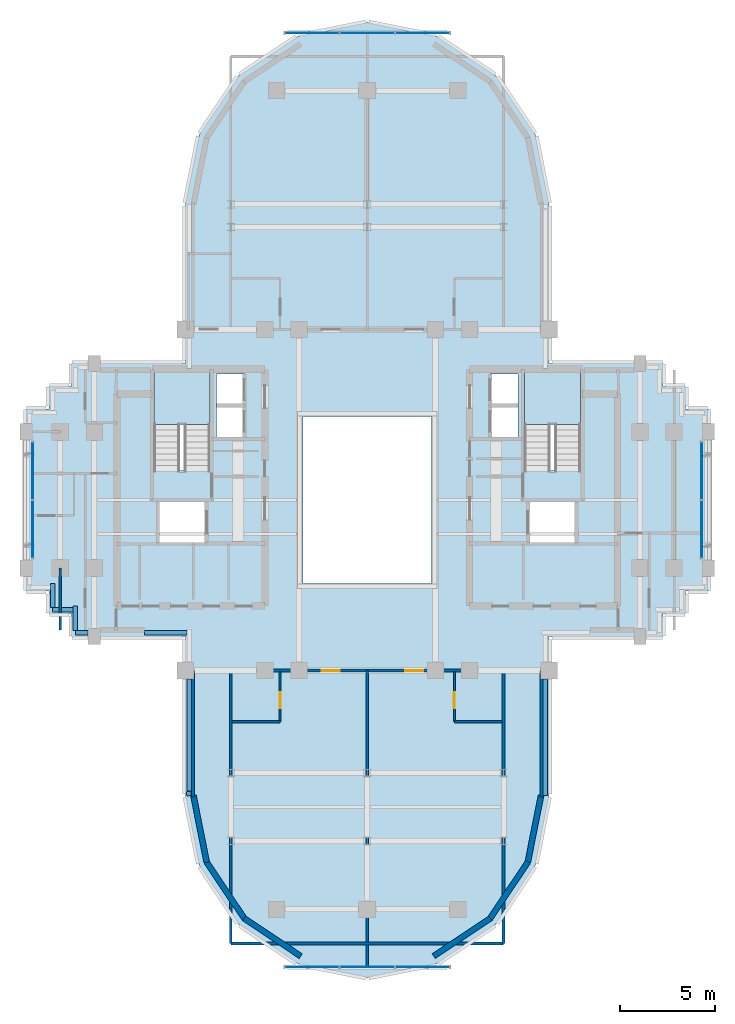
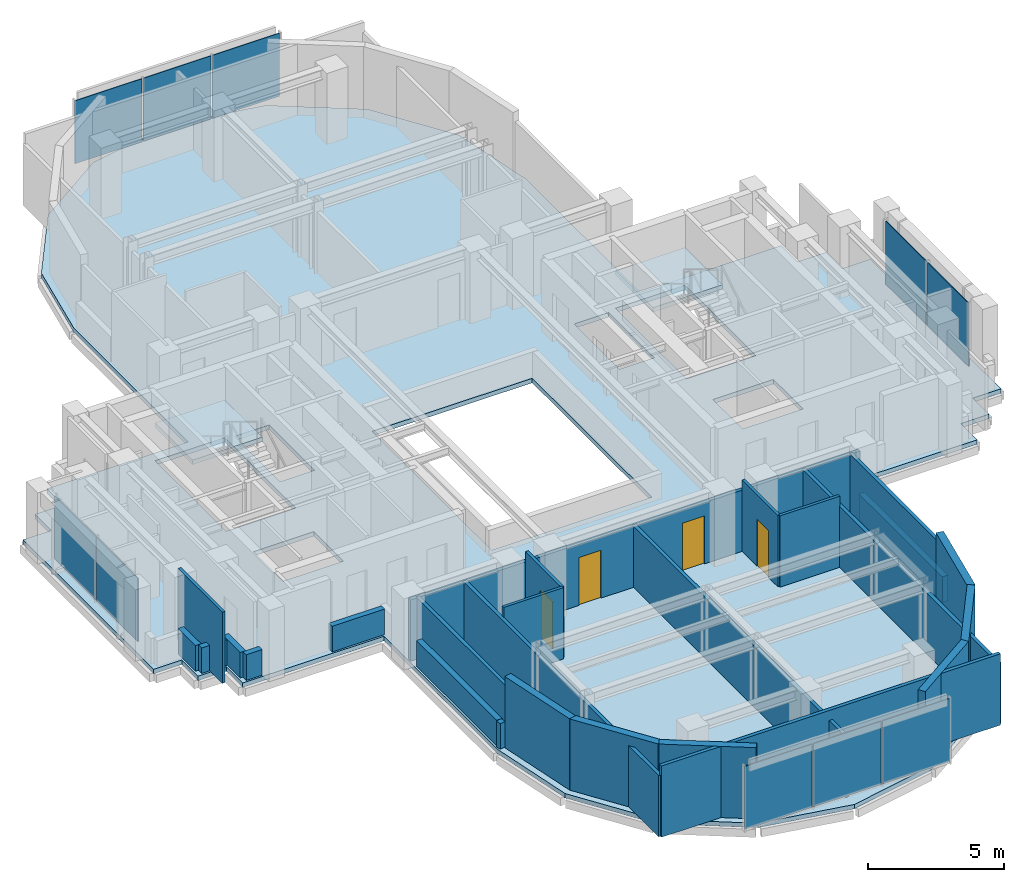
# One storey, part 5 of 12: 27 walls, 10 plates, 4 doors, 3 slabs, 4 openings, 6 elements without a shape of their own.
"""IFC4 building model written with IfcOpenShell, lengths in metres."""

from ifc_helpers import new_model, si_unit, direction, frame, frame_2d, origin, origin_2d, place, context, subcontext, project, spatial, polyline, rectangle, outline, extrude, source, transform, mapped, material, layer, layer_set, type_object, element, fill, aggregate, save


model = new_model("IFC4")

# Units and contexts
model_context = context("Model", 3, precision=1e-05, world=origin(), true_north=direction((0.0, 1.0)))
body_context = subcontext(model_context, "Body", "Model", "MODEL_VIEW")
ifc_project = project(units=[si_unit("LENGTHUNIT", "METRE"), si_unit("AREAUNIT", "SQUARE_METRE"), si_unit("VOLUMEUNIT", "CUBIC_METRE"), si_unit("PLANEANGLEUNIT", "RADIAN"), si_unit("MASSUNIT", "GRAM", prefix="KILO")], contexts=[model_context])

# Site, building, storey
site_placement = place(None, origin())
site = spatial("IfcSite", under=ifc_project, at=site_placement, CompositionType="ELEMENT")
building_placement = place(site_placement, origin())
building = spatial("IfcBuilding", under=site, at=building_placement, Name="Keilestroom Media Tower", CompositionType="ELEMENT")
storey_placement = place(building_placement, frame((0.0, 0.0, 191.0)))
storey = spatial("IfcBuildingStorey", under=building, at=storey_placement, Name="L52", CompositionType="ELEMENT", Elevation=191.0)

# Slab
ifc_material_1 = material(Name="Concrete C50/60", Category="concrete")
ifc_layer_1 = layer(ifc_material_1, 0.199951171875)
ifc_layer_set_1 = layer_set([ifc_layer_1], Name="Concrete C50/60")
slab_type_1 = type_object("IfcSlabType", Name="Composite-Floor-Slab-200", PredefinedType="FLOOR", material=ifc_layer_set_1)
slab_1_placement = place(storey_placement, frame((0.0, 0.0, -0.199951171875)))
element("IfcSlab", 1, at=slab_1_placement, inside=storey, type_object=slab_type_1, Name="L52 Structural Composite Floor Slab", PredefinedType="FLOOR", context=body_context, shape_type="SweptSolid", body=[
    extrude(outline(polyline([(18.0, -4.800048828125), (18.0, 4.800048828125), (16.800048828125, 4.800048828125), (16.800048828125, 6.0), (15.60009765625, 6.0), (15.60009765625, 7.199951171875), (9.60009765625, 7.199951171875), (9.60009765625, 9.60009765625), (9.60009765625, 15.60009765625), (8.869140625, 19.273681640625), (6.7880859375, 22.38818359375), (3.673828125, 24.46923828125), (0.0, 25.199951171875), (-3.673828125, 24.46923828125), (-6.7880859375, 22.38818359375), (-8.869140625, 19.273681640625), (-9.60009765625, 15.60009765625), (-9.60009765625, 9.60009765625), (-9.60009765625, 7.199951171875), (-15.60009765625, 7.199951171875), (-15.60009765625, 6.0), (-16.800048828125, 6.0), (-16.800048828125, 4.800048828125), (-18.0, 4.800048828125), (-18.0, -4.800048828125), (-16.800048828125, -4.800048828125), (-16.800048828125, -6.0), (-15.60009765625, -6.0), (-15.60009765625, -7.199951171875), (-9.60009765625, -7.199951171875), (-9.60009765625, -9.60009765625), (-9.60009765625, -15.60009765625), (-8.869140625, -19.273681640625), (-6.7880859375, -22.38818359375), (-3.673828125, -24.46923828125), (0.0, -25.199951171875), (3.673828125, -24.46923828125), (6.7880859375, -22.38818359375), (8.869140625, -19.273681640625), (9.60009765625, -15.60009765625), (9.60009765625, -9.60009765625), (9.60009765625, -7.199951171875), (15.60009765625, -7.199951171875), (15.60009765625, -6.0), (16.800048828125, -6.0), (16.800048828125, -4.800048828125), (18.0, -4.800048828125)]), holes=[polyline([(-8.300048828125, 1.544921875), (-11.260009765625, 1.544921875), (-11.260009765625, 6.760009765625), (-8.300048828125, 6.760009765625), (-8.300048828125, 1.544921875)]), polyline([(-8.47998046875, -2.280029296875), (-11.050048828125, -2.280029296875), (-11.050048828125, -0.10009765625), (-8.47998046875, -0.10009765625), (-8.47998046875, -2.280029296875)]), polyline([(-6.47998046875, 3.300048828125), (-7.949951171875, 3.300048828125), (-7.949951171875, 6.64990234375), (-6.47998046875, 6.64990234375), (-6.47998046875, 3.300048828125)]), polyline([(3.39990234375, -4.39990234375), (-3.39990234375, -4.39990234375), (-3.39990234375, 4.39990234375), (3.39990234375, 4.39990234375), (3.39990234375, -4.39990234375)]), polyline([(7.949951171875, 3.300048828125), (6.47998046875, 3.300048828125), (6.47998046875, 6.64990234375), (7.949951171875, 6.64990234375), (7.949951171875, 3.300048828125)]), polyline([(11.260009765625, 1.544921875), (8.300048828125, 1.544921875), (8.300048828125, 6.760009765625), (11.260009765625, 6.760009765625), (11.260009765625, 1.544921875)]), polyline([(11.050048828125, -2.280029296875), (8.47998046875, -2.280029296875), (8.47998046875, -0.10009765625), (11.050048828125, -0.10009765625), (11.050048828125, -2.280029296875)])]), origin(), (0.0, 0.0, 1.0), 0.199951171875),
])

# Stair, slab
ifc_material_2 = material(Name="Concrete C45/55", Category="concrete")
stair_type = type_object("IfcStairType", Name="Enclosed-Dog-Leg-Stair-ST-CORE", PredefinedType="HALF_TURN_STAIR", material=ifc_material_2)
stair_1_placement = place(storey_placement, origin())
stair_1 = element("IfcStair", 2, at=stair_1_placement, inside=storey, type_object=stair_type, Name="L52 West Core Escape Stair ST-1", PredefinedType="HALF_TURN_STAIR")
ifc_layer_2 = layer(ifc_material_2, 0.199951171875)
ifc_layer_set_2 = layer_set([ifc_layer_2], Name="Concrete C45/55")
slab_type_2 = type_object("IfcSlabType", Name="Stair-Intermediate-And-Top-Landing-Slab-200", PredefinedType="LANDING", material=ifc_layer_set_2)
slab_2_placement = place(storey_placement, frame((0.0, 0.0, 1.5)))
slab_2 = element("IfcSlab", 3, at=slab_2_placement, type_object=slab_type_2, Name="ST-1 landing 1", PredefinedType="LANDING", context=body_context, shape_type="SweptSolid", body=[
    extrude(outline(polyline([(-8.300048828125, 3.99609375), (-8.300048828125, 6.760009765625), (-11.260009765625, 6.760009765625), (-11.260009765625, 3.99609375), (-8.300048828125, 3.99609375)])), origin(), (0.0, 0.0, 1.0), 0.199951171875),
])
aggregate(stair_1, [slab_2])

stair_2_placement = place(storey_placement, origin())
stair_2 = element("IfcStair", 4, at=stair_2_placement, inside=storey, type_object=stair_type, Name="L52 East Core Escape Stair ST-2", PredefinedType="HALF_TURN_STAIR")
slab_3_placement = place(storey_placement, frame((0.0, 0.0, 1.5)))
slab_3 = element("IfcSlab", 5, at=slab_3_placement, type_object=slab_type_2, Name="ST-2 landing 1", PredefinedType="LANDING", context=body_context, shape_type="SweptSolid", body=[
    extrude(outline(polyline([(11.260009765625, 3.99609375), (11.260009765625, 6.760009765625), (8.300048828125, 6.760009765625), (8.300048828125, 3.99609375), (11.260009765625, 3.99609375)])), origin(), (0.0, 0.0, 1.0), 0.199951171875),
])
aggregate(stair_2, [slab_3])

# Curtain wall, plates
ifc_material_3 = material(Name="Anodised Aluminium Alloy", Category="aluminium")
curtain_wall_type_1 = type_object("IfcCurtainWallType", Name="Unitised-Curtain-Wall-CW-6", PredefinedType="NOTDEFINED", material=ifc_material_3)
curtain_wall_1_placement = place(storey_placement, origin())
curtain_wall_1 = element("IfcCurtainWall", 6, at=curtain_wall_1_placement, inside=storey, type_object=curtain_wall_type_1, Name="L52 Curtain Wall CW-6 CW-L52-LN-1", PredefinedType="NOTDEFINED")
ifc_material_4 = material(Name="Curved-Facet Triple Glazed Unit", Category="glass")
ifc_layer_3 = layer(ifc_material_4, 0.033935546875)
ifc_layer_set_3 = layer_set([ifc_layer_3], Name="Curved-Facet Triple Glazed Unit")
plate_type_1 = type_object("IfcPlateType", Name="Insulated-Curtain-Wall-Glazing-Panel-CW-6", PredefinedType="CURTAIN_PANEL", material=ifc_layer_set_3)
shared_shape_1 = source(origin(), body_context, "Body", "SweptSolid", [
    extrude(rectangle(XDim=2.84375, YDim=0.033935546875, at=origin_2d()), origin(), (0.0, 0.0, 1.0), 2.833984375),
])
plate_1_placement = place(storey_placement, frame((-2.9169921875, 24.64990234375, 0.072998046875), z_axis=(0.0, 0.0, 1.0), x_axis=(1.0, 0.0, 0.0)))
plate_1 = element("IfcPlate", 7, at=plate_1_placement, type_object=plate_type_1, Name="CW-6 Unitised Glazing 00", PredefinedType="CURTAIN_PANEL", context=body_context, shape_type="MappedRepresentation", body=[
    mapped(shared_shape_1, transform((0.0, 0.0, 0.0), x_axis=(1.0, 0.0, 0.0), y_axis=(0.0, 1.0, 0.0), z_axis=(0.0, 0.0, 1.0), scale=1.0)),
])
plate_2_placement = place(storey_placement, frame((2.9169921875, 24.64990234375, 0.072998046875), z_axis=(0.0, 0.0, 1.0), x_axis=(1.0, 0.0, 0.0)))
plate_2 = element("IfcPlate", 8, at=plate_2_placement, type_object=plate_type_1, Name="CW-6 Unitised Glazing 02", PredefinedType="CURTAIN_PANEL", context=body_context, shape_type="MappedRepresentation", body=[
    mapped(shared_shape_1, transform((0.0, 0.0, 0.0), x_axis=(1.0, 0.0, 0.0), y_axis=(0.0, 1.0, 0.0), z_axis=(0.0, 0.0, 1.0), scale=1.0)),
])

curtain_wall_2_placement = place(storey_placement, origin())
curtain_wall_2 = element("IfcCurtainWall", 9, at=curtain_wall_2_placement, inside=storey, type_object=curtain_wall_type_1, Name="L52 Curtain Wall CW-6 CW-L52-LS-1", PredefinedType="NOTDEFINED")
plate_3_placement = place(storey_placement, frame((-2.9169921875, -24.64990234375, 0.072998046875), z_axis=(0.0, 0.0, 1.0), x_axis=(1.0, 0.0, 0.0)))
plate_3 = element("IfcPlate", 10, at=plate_3_placement, type_object=plate_type_1, Name="CW-6 Unitised Glazing 00", PredefinedType="CURTAIN_PANEL", context=body_context, shape_type="MappedRepresentation", body=[
    mapped(shared_shape_1, transform((0.0, 0.0, 0.0), x_axis=(1.0, 0.0, 0.0), y_axis=(0.0, 1.0, 0.0), z_axis=(0.0, 0.0, 1.0), scale=1.0)),
])
plate_4_placement = place(storey_placement, frame((2.9169921875, -24.64990234375, 0.072998046875), z_axis=(0.0, 0.0, 1.0), x_axis=(1.0, 0.0, 0.0)))
plate_4 = element("IfcPlate", 11, at=plate_4_placement, type_object=plate_type_1, Name="CW-6 Unitised Glazing 02", PredefinedType="CURTAIN_PANEL", context=body_context, shape_type="MappedRepresentation", body=[
    mapped(shared_shape_1, transform((0.0, 0.0, 0.0), x_axis=(1.0, 0.0, 0.0), y_axis=(0.0, 1.0, 0.0), z_axis=(0.0, 0.0, 1.0), scale=1.0)),
])

# Plate
shared_shape_2 = source(origin(), body_context, "Body", "SweptSolid", [
    extrude(rectangle(XDim=2.876220703125, YDim=0.033935546875, at=origin_2d()), origin(), (0.0, 0.0, 1.0), 2.833984375),
])
plate_5_placement = place(storey_placement, frame((0.0, 24.64990234375, 0.072998046875), z_axis=(0.0, 0.0, 1.0), x_axis=(1.0, 0.0, 0.0)))
plate_5 = element("IfcPlate", 12, at=plate_5_placement, type_object=plate_type_1, Name="CW-6 Unitised Glazing 01", PredefinedType="CURTAIN_PANEL", context=body_context, shape_type="MappedRepresentation", body=[
    mapped(shared_shape_2, transform((0.0, 0.0, 0.0), x_axis=(1.0, 0.0, 0.0), y_axis=(0.0, 1.0, 0.0), z_axis=(0.0, 0.0, 1.0), scale=1.0)),
])

aggregate(curtain_wall_1, [plate_1, plate_5, plate_2])

plate_6_placement = place(storey_placement, frame((0.0, -24.64990234375, 0.072998046875), z_axis=(0.0, 0.0, 1.0), x_axis=(1.0, 0.0, 0.0)))
plate_6 = element("IfcPlate", 13, at=plate_6_placement, type_object=plate_type_1, Name="CW-6 Unitised Glazing 01", PredefinedType="CURTAIN_PANEL", context=body_context, shape_type="MappedRepresentation", body=[
    mapped(shared_shape_2, transform((0.0, 0.0, 0.0), x_axis=(1.0, 0.0, 0.0), y_axis=(0.0, 1.0, 0.0), z_axis=(0.0, 0.0, 1.0), scale=1.0)),
])

aggregate(curtain_wall_2, [plate_3, plate_6, plate_4])

# Curtain wall, plates
curtain_wall_type_2 = type_object("IfcCurtainWallType", Name="Unitised-Curtain-Wall-CW-3", PredefinedType="NOTDEFINED", material=ifc_material_3)
curtain_wall_3_placement = place(storey_placement, origin())
curtain_wall_3 = element("IfcCurtainWall", 14, at=curtain_wall_3_placement, inside=storey, type_object=curtain_wall_type_2, Name="L52 Curtain Wall CW-3 CW-L52-W-1", PredefinedType="NOTDEFINED")
ifc_material_5 = material(Name="Triple Glazed Acoustic Low-E Unit", Category="glass")
ifc_layer_4 = layer(ifc_material_5, 0.0380859375)
ifc_layer_set_4 = layer_set([ifc_layer_4], Name="Triple Glazed Acoustic Low-E Unit")
plate_type_2 = type_object("IfcPlateType", Name="Insulated-Curtain-Wall-Glazing-Panel-CW-3", PredefinedType="CURTAIN_PANEL", material=ifc_layer_set_4)
shared_shape_3 = source(origin(), body_context, "Body", "SweptSolid", [
    extrude(rectangle(XDim=3.025390625, YDim=0.0380859375, at=origin_2d()), origin(), (0.0, 0.0, 1.0), 2.833984375),
])
plate_7_placement = place(storey_placement, frame((-17.64990234375, -1.541259765625, 0.072998046875), z_axis=(0.0, 0.0, 1.0), x_axis=(0.0, 1.0, 0.0)))
plate_7 = element("IfcPlate", 15, at=plate_7_placement, type_object=plate_type_2, Name="CW-3 Unitised Glazing 00", PredefinedType="CURTAIN_PANEL", context=body_context, shape_type="MappedRepresentation", body=[
    mapped(shared_shape_3, transform((0.0, 0.0, 0.0), x_axis=(1.0, 0.0, 0.0), y_axis=(0.0, 1.0, 0.0), z_axis=(0.0, 0.0, 1.0), scale=1.0)),
])
plate_8_placement = place(storey_placement, frame((-17.64990234375, 1.541259765625, 0.072998046875), z_axis=(0.0, 0.0, 1.0), x_axis=(0.0, 1.0, 0.0)))
plate_8 = element("IfcPlate", 16, at=plate_8_placement, type_object=plate_type_2, Name="CW-3 Unitised Glazing 01", PredefinedType="CURTAIN_PANEL", context=body_context, shape_type="MappedRepresentation", body=[
    mapped(shared_shape_3, transform((0.0, 0.0, 0.0), x_axis=(1.0, 0.0, 0.0), y_axis=(0.0, 1.0, 0.0), z_axis=(0.0, 0.0, 1.0), scale=1.0)),
])
aggregate(curtain_wall_3, [plate_7, plate_8])

curtain_wall_4_placement = place(storey_placement, origin())
curtain_wall_4 = element("IfcCurtainWall", 17, at=curtain_wall_4_placement, inside=storey, type_object=curtain_wall_type_2, Name="L52 Curtain Wall CW-3 CW-L52-E-1", PredefinedType="NOTDEFINED")
plate_9_placement = place(storey_placement, frame((17.64990234375, -1.541259765625, 0.072998046875), z_axis=(0.0, 0.0, 1.0), x_axis=(0.0, 1.0, 0.0)))
plate_9 = element("IfcPlate", 18, at=plate_9_placement, type_object=plate_type_2, Name="CW-3 Unitised Glazing 00", PredefinedType="CURTAIN_PANEL", context=body_context, shape_type="MappedRepresentation", body=[
    mapped(shared_shape_3, transform((0.0, 0.0, 0.0), x_axis=(1.0, 0.0, 0.0), y_axis=(0.0, 1.0, 0.0), z_axis=(0.0, 0.0, 1.0), scale=1.0)),
])
plate_10_placement = place(storey_placement, frame((17.64990234375, 1.541259765625, 0.072998046875), z_axis=(0.0, 0.0, 1.0), x_axis=(0.0, 1.0, 0.0)))
plate_10 = element("IfcPlate", 19, at=plate_10_placement, type_object=plate_type_2, Name="CW-3 Unitised Glazing 01", PredefinedType="CURTAIN_PANEL", context=body_context, shape_type="MappedRepresentation", body=[
    mapped(shared_shape_3, transform((0.0, 0.0, 0.0), x_axis=(1.0, 0.0, 0.0), y_axis=(0.0, 1.0, 0.0), z_axis=(0.0, 0.0, 1.0), scale=1.0)),
])
aggregate(curtain_wall_4, [plate_9, plate_10])

# Walls
ifc_material_6 = material(Name="Precast concrete C40/50", Category="concrete")
ifc_layer_5 = layer(ifc_material_6, 0.300048828125)
ifc_layer_set_5 = layer_set([ifc_layer_5], Name="Precast concrete C40/50")
wall_type_1 = type_object("IfcWallType", Name="Exterior-Masonry-Spandrel-Wall-300", PredefinedType="SOLIDWALL", material=ifc_layer_set_5)
for number, where, z_axis, x_axis, name in (
    (20, (-9.1748046875, -15.585205078125, 0.0), (0.0, 0.0, 1.0), (0.195114232679, -0.980780523974, 0.0), "L52 Lobe Facet Precast Frame Wall 07"),
    (21, (-8.48193359375, -19.097412109375, 0.0), (0.0, 0.0, 1.0), (0.555574187116, -0.831466970246, 0.0), "L52 Lobe Facet Precast Frame Wall 08"),
):
    element("IfcWall", number, at=place(storey_placement, frame(where, z_axis=z_axis, x_axis=x_axis)), inside=storey, type_object=wall_type_1, Name=name, PredefinedType="SOLIDWALL", context=body_context, shape_type="SweptSolid", body=[
        extrude(rectangle(XDim=3.608642578125, YDim=0.300048828125, at=frame_2d((1.80419921875, 0.0))), origin(), (0.0, 0.0, 1.0), 3.199951171875),
    ])
for number, where, z_axis, x_axis, name in (
    (22, (-6.497802734375, -22.0771484375, 0.0), (0.0, 0.0, 1.0), (0.8314749531, -0.555562239868, 0.0), "L52 Lobe Facet Precast Frame Wall 09"),
    (23, (3.510009765625, -24.073486328125, 0.0), (0.0, 0.0, 1.0), (0.8314749531, 0.555562239868, 0.0), "L52 Lobe Facet Precast Frame Wall 10"),
):
    element("IfcWall", number, at=place(storey_placement, frame(where, z_axis=z_axis, x_axis=x_axis)), inside=storey, type_object=wall_type_1, Name=name, PredefinedType="SOLIDWALL", context=body_context, shape_type="SweptSolid", body=[
        extrude(rectangle(XDim=3.59326171875, YDim=0.300048828125, at=frame_2d((1.796630859375, 0.0))), origin(), (0.0, 0.0, 1.0), 3.199951171875),
    ])
for number, where, z_axis, x_axis, name in (
    (24, (6.47705078125, -22.097900390625, 0.0), (0.0, 0.0, 1.0), (0.555574187116, 0.831466970246, 0.0), "L52 Lobe Facet Precast Frame Wall 11"),
    (25, (8.470703125, -19.12451171875, 0.0), (0.0, 0.0, 1.0), (0.195114232679, 0.980780523974, 0.0), "L52 Lobe Facet Precast Frame Wall 12"),
):
    element("IfcWall", number, at=place(storey_placement, frame(where, z_axis=z_axis, x_axis=x_axis)), inside=storey, type_object=wall_type_1, Name=name, PredefinedType="SOLIDWALL", context=body_context, shape_type="SweptSolid", body=[
        extrude(rectangle(XDim=3.608642578125, YDim=0.300048828125, at=frame_2d((1.80419921875, 0.0))), origin(), (0.0, 0.0, 1.0), 3.199951171875),
    ])

# Wall, opening, door
ifc_material_7 = material(Name="Gypsum Plasterboard & Steel Stud", Category="steel")
ifc_layer_6 = layer(ifc_material_7, 0.1201171875)
ifc_layer_set_6 = layer_set([ifc_layer_6], Name="Gypsum Plasterboard & Steel Stud")
wall_type_2 = type_object("IfcWallType", Name="Interior-Partition-Wall-120", PredefinedType="PARTITIONING", material=ifc_layer_set_6)
wall_1_placement = place(storey_placement, frame((-4.60009765625, -11.699951171875, 0.0), z_axis=(0.0, 0.0, 1.0), x_axis=(0.0, 1.0, 0.0)))
wall_1 = element("IfcWall", 26, at=wall_1_placement, inside=storey, type_object=wall_type_2, Name="L52 Interior Wall WP-L52-ENSW-SW", PredefinedType="PARTITIONING", context=body_context, shape_type="SweptSolid", body=[
    extrude(rectangle(XDim=2.639892578125, YDim=0.1201171875, at=frame_2d((1.31982421875, 0.0))), origin(), (0.0, 0.0, 1.0), 3.199951171875),
])
opening_1_placement = place(wall_1_placement, frame((0.699951171875, 0.0, 0.0)))
opening_1 = element("IfcOpeningElement", 27, at=opening_1_placement, cuts=wall_1, Name="Opening DI-05", PredefinedType="OPENING", context=body_context, shape_type="SweptSolid", body=[
    extrude(rectangle(XDim=0.85009765625, YDim=2.10009765625, at=frame_2d((0.425048828125, 1.050048828125))), frame((0.0, 0.070068359375, 0.0), z_axis=(0.0, -1.0, 0.0), x_axis=(1.0, 0.0, 0.0)), (0.0, 0.0, 1.0), 0.14013671875),
])
ifc_material_8 = material(Name="Moisture-Resistant Oak Leaf", Category="wood")
door_type_1 = type_object("IfcDoorType", Name="Interior-En-Suite-And-Cupboard-Door-DI-05", OperationType="NOTDEFINED", PredefinedType="DOOR", material=ifc_material_8)
shared_shape_4 = source(origin(), body_context, "Body", "SweptSolid", [
    extrude(rectangle(XDim=0.85009765625, YDim=2.10009765625, at=frame_2d((0.425048828125, 1.050048828125))), frame((0.0, 0.02490234375, 0.0), z_axis=(0.0, -1.0, 0.0), x_axis=(1.0, 0.0, 0.0)), (0.0, 0.0, 1.0), 0.050048828125),
])
door_1_placement = place(opening_1_placement, origin())
door_1 = element("IfcDoor", 28, at=door_1_placement, inside=storey, type_object=door_type_1, Name="L52 Interior Door DI-L52-DENS-SW", OperationType="SINGLE_SWING_RIGHT", OverallHeight=2.10009765625, OverallWidth=0.85009765625, PredefinedType="DOOR", context=body_context, shape_type="MappedRepresentation", body=[
    mapped(shared_shape_4, transform((0.0, 0.0, 0.0), x_axis=(1.0, 0.0, 0.0), y_axis=(0.0, 1.0, 0.0), z_axis=(0.0, 0.0, 1.0), scale=1.0)),
])
fill(opening_1, door_1)

# Wall
wall_2_placement = place(storey_placement, frame((-7.139892578125, -11.699951171875, 0.0), z_axis=(0.0, 0.0, 1.0), x_axis=(1.0, 0.0, 0.0)))
element("IfcWall", 29, at=wall_2_placement, inside=storey, type_object=wall_type_2, Name="L52 Interior Wall WP-L52-ENSH-SW", PredefinedType="PARTITIONING", context=body_context, shape_type="SweptSolid", body=[
    extrude(rectangle(XDim=2.539794921875, YDim=0.1201171875, at=frame_2d((1.27001953125, 0.0))), origin(), (0.0, 0.0, 1.0), 3.199951171875),
])

# Wall, opening, door
wall_3_placement = place(storey_placement, frame((4.60009765625, -11.699951171875, 0.0), z_axis=(0.0, 0.0, 1.0), x_axis=(0.0, 1.0, 0.0)))
wall_3 = element("IfcWall", 30, at=wall_3_placement, inside=storey, type_object=wall_type_2, Name="L52 Interior Wall WP-L52-ENSW-SE", PredefinedType="PARTITIONING", context=body_context, shape_type="SweptSolid", body=[
    extrude(rectangle(XDim=2.639892578125, YDim=0.1201171875, at=frame_2d((1.31982421875, 0.0))), origin(), (0.0, 0.0, 1.0), 3.199951171875),
])
opening_2_placement = place(wall_3_placement, frame((0.699951171875, 0.0, 0.0)))
opening_2 = element("IfcOpeningElement", 31, at=opening_2_placement, cuts=wall_3, Name="Opening DI-05", PredefinedType="OPENING", context=body_context, shape_type="SweptSolid", body=[
    extrude(rectangle(XDim=0.85009765625, YDim=2.10009765625, at=frame_2d((0.425048828125, 1.050048828125))), frame((0.0, 0.070068359375, 0.0), z_axis=(0.0, -1.0, 0.0), x_axis=(1.0, 0.0, 0.0)), (0.0, 0.0, 1.0), 0.14013671875),
])
door_2_placement = place(opening_2_placement, origin())
door_2 = element("IfcDoor", 32, at=door_2_placement, inside=storey, type_object=door_type_1, Name="L52 Interior Door DI-L52-DENS-SE", OperationType="SINGLE_SWING_RIGHT", OverallHeight=2.10009765625, OverallWidth=0.85009765625, PredefinedType="DOOR", context=body_context, shape_type="MappedRepresentation", body=[
    mapped(shared_shape_4, transform((0.0, 0.0, 0.0), x_axis=(1.0, 0.0, 0.0), y_axis=(0.0, 1.0, 0.0), z_axis=(0.0, 0.0, 1.0), scale=1.0)),
])
fill(opening_2, door_2)

# Walls
wall_4_placement = place(storey_placement, frame((4.60009765625, -11.699951171875, 0.0), z_axis=(0.0, 0.0, 1.0), x_axis=(1.0, 0.0, 0.0)))
element("IfcWall", 33, at=wall_4_placement, inside=storey, type_object=wall_type_2, Name="L52 Interior Wall WP-L52-ENSH-SE", PredefinedType="PARTITIONING", context=body_context, shape_type="SweptSolid", body=[
    extrude(rectangle(XDim=2.539794921875, YDim=0.1201171875, at=frame_2d((1.27001953125, 0.0))), origin(), (0.0, 0.0, 1.0), 3.199951171875),
])
wall_5_placement = place(storey_placement, frame((-16.199951171875, -6.85009765625, 0.0), z_axis=(0.0, 0.0, 1.0), x_axis=(0.0, 1.0, 0.0)))
element("IfcWall", 34, at=wall_5_placement, inside=storey, type_object=wall_type_2, Name="L52 Interior Wall WP-L52-HWW-C16", PredefinedType="PARTITIONING", context=body_context, shape_type="SweptSolid", body=[
    extrude(rectangle(XDim=3.25, YDim=0.1201171875, at=frame_2d((1.625, 0.0))), origin(), (0.0, 0.0, 1.0), 3.199951171875),
])

# Wall, openings, doors
ifc_layer_7 = layer(ifc_material_7, 0.14990234375)
ifc_layer_set_7 = layer_set([ifc_layer_7], Name="Gypsum Plasterboard & Steel Stud")
wall_type_3 = type_object("IfcWallType", Name="Interior-Partition-Wall-150", PredefinedType="PARTITIONING", material=ifc_layer_set_7)
wall_6_placement = place(storey_placement, frame((-9.550048828125, -9.0, 0.0), z_axis=(0.0, 0.0, 1.0), x_axis=(1.0, 0.0, 0.0)))
wall_6 = element("IfcWall", 35, at=wall_6_placement, inside=storey, type_object=wall_type_3, Name="L52 Interior Wall WP-L52-H306-S-BASE", PredefinedType="PARTITIONING", context=body_context, shape_type="SweptSolid", body=[
    extrude(rectangle(XDim=19.10009765625, YDim=0.14990234375, at=frame_2d((9.550048828125, 0.0))), origin(), (0.0, 0.0, 1.0), 2.75),
])
opening_3_placement = place(wall_6_placement, frame((7.14990234375, 0.0, 0.0)))
opening_3 = element("IfcOpeningElement", 36, at=opening_3_placement, cuts=wall_6, Name="Opening DI-03", PredefinedType="OPENING", context=body_context, shape_type="SweptSolid", body=[
    extrude(rectangle(XDim=0.949951171875, YDim=2.14990234375, at=frame_2d((0.47509765625, 1.074951171875))), frame((0.0, 0.0849609375, 0.0), z_axis=(0.0, -1.0, 0.0), x_axis=(1.0, 0.0, 0.0)), (0.0, 0.0, 1.0), 0.169921875),
])
opening_4_placement = place(wall_6_placement, frame((11.550048828125, 0.0, 0.0)))
opening_4 = element("IfcOpeningElement", 37, at=opening_4_placement, cuts=wall_6, Name="Opening DI-03", PredefinedType="OPENING", context=body_context, shape_type="SweptSolid", body=[
    extrude(rectangle(XDim=0.949951171875, YDim=2.14990234375, at=frame_2d((0.47509765625, 1.074951171875))), frame((0.0, 0.0849609375, 0.0), z_axis=(0.0, -1.0, 0.0), x_axis=(1.0, 0.0, 0.0)), (0.0, 0.0, 1.0), 0.169921875),
])
ifc_material_9 = material(Name="Lacquered European Oak Leaf", Category="wood")
door_type_2 = type_object("IfcDoorType", Name="Interior-Room-And-Suite-Door-DI-03", OperationType="NOTDEFINED", PredefinedType="DOOR", material=ifc_material_9)
shared_shape_5 = source(origin(), body_context, "Body", "SweptSolid", [
    extrude(rectangle(XDim=0.949951171875, YDim=2.14990234375, at=frame_2d((0.47509765625, 1.074951171875))), frame((0.0, 0.02490234375, 0.0), z_axis=(0.0, -1.0, 0.0), x_axis=(1.0, 0.0, 0.0)), (0.0, 0.0, 1.0), 0.050048828125),
])
door_3_placement = place(opening_3_placement, origin())
door_3 = element("IfcDoor", 38, at=door_3_placement, inside=storey, type_object=door_type_2, Name="L52 Interior Door DI-L52-DHTL-SW", OperationType="SINGLE_SWING_LEFT", OverallHeight=2.14990234375, OverallWidth=0.949951171875, PredefinedType="DOOR", context=body_context, shape_type="MappedRepresentation", body=[
    mapped(shared_shape_5, transform((0.0, 0.0, 0.0), x_axis=(1.0, 0.0, 0.0), y_axis=(0.0, 1.0, 0.0), z_axis=(0.0, 0.0, 1.0), scale=1.0)),
])
fill(opening_3, door_3)
door_4_placement = place(opening_4_placement, origin())
door_4 = element("IfcDoor", 39, at=door_4_placement, inside=storey, type_object=door_type_2, Name="L52 Interior Door DI-L52-DHTL-SE", OperationType="SINGLE_SWING_LEFT", OverallHeight=2.14990234375, OverallWidth=0.949951171875, PredefinedType="DOOR", context=body_context, shape_type="MappedRepresentation", body=[
    mapped(shared_shape_5, transform((0.0, 0.0, 0.0), x_axis=(1.0, 0.0, 0.0), y_axis=(0.0, 1.0, 0.0), z_axis=(0.0, 0.0, 1.0), scale=1.0)),
])
fill(opening_4, door_4)

# Walls
for number, where, z_axis, x_axis, name in (
    (40, (-9.199951171875, -15.679931640625, 0.0), (0.0, 0.0, 1.0), (0.0, 1.0, 0.0), "L52 Interior Wall WP-L52-SL-CHKW"),
    (41, (9.199951171875, -15.679931640625, 0.0), (0.0, 0.0, 1.0), (0.0, 1.0, 0.0), "L52 Interior Wall WP-L52-SL-CHKE"),
):
    element("IfcWall", number, at=place(storey_placement, frame(where, z_axis=z_axis, x_axis=x_axis)), inside=storey, type_object=wall_type_3, Name=name, PredefinedType="PARTITIONING", context=body_context, shape_type="SweptSolid", body=[
        extrude(rectangle(XDim=6.679931640625, YDim=0.14990234375, at=frame_2d((3.33984375, 0.0))), origin(), (0.0, 0.0, 1.0), 2.75),
    ])
wall_7_placement = place(storey_placement, frame((-7.199951171875, -23.39990234375, 0.0), z_axis=(0.0, 0.0, 1.0), x_axis=(0.0, 1.0, 0.0)))
element("IfcWall", 42, at=wall_7_placement, inside=storey, type_object=wall_type_3, Name="L52 Interior Wall WP-L52-H306-SV--72", PredefinedType="PARTITIONING", context=body_context, shape_type="SweptSolid", body=[
    extrude(rectangle(XDim=14.39990234375, YDim=0.14990234375, at=frame_2d((7.199951171875, 0.0))), origin(), (0.0, 0.0, 1.0), 2.75),
])
wall_8_placement = place(storey_placement, frame((0.0, -24.64990234375, 0.0), z_axis=(0.0, 0.0, 1.0), x_axis=(0.0, 1.0, 0.0)))
element("IfcWall", 43, at=wall_8_placement, inside=storey, type_object=wall_type_3, Name="L52 Interior Wall WP-L52-H306-SV-0", PredefinedType="PARTITIONING", context=body_context, shape_type="SweptSolid", body=[
    extrude(rectangle(XDim=15.64990234375, YDim=0.14990234375, at=frame_2d((7.824951171875, 0.0))), origin(), (0.0, 0.0, 1.0), 2.75),
])
wall_9_placement = place(storey_placement, frame((7.199951171875, -23.39990234375, 0.0), z_axis=(0.0, 0.0, 1.0), x_axis=(0.0, 1.0, 0.0)))
element("IfcWall", 44, at=wall_9_placement, inside=storey, type_object=wall_type_3, Name="L52 Interior Wall WP-L52-H306-SV-72", PredefinedType="PARTITIONING", context=body_context, shape_type="SweptSolid", body=[
    extrude(rectangle(XDim=14.39990234375, YDim=0.14990234375, at=frame_2d((7.199951171875, 0.0))), origin(), (0.0, 0.0, 1.0), 2.75),
])
wall_10_placement = place(storey_placement, frame((-7.199951171875, -23.39990234375, 0.0), z_axis=(0.0, 0.0, 1.0), x_axis=(1.0, 0.0, 0.0)))
element("IfcWall", 45, at=wall_10_placement, inside=storey, type_object=wall_type_3, Name="L52 Interior Wall WP-L52-H306-STIP", PredefinedType="PARTITIONING", context=body_context, shape_type="SweptSolid", body=[
    extrude(rectangle(XDim=14.39990234375, YDim=0.14990234375, at=frame_2d((7.199951171875, 0.0))), origin(), (0.0, 0.0, 1.0), 3.199951171875),
])
ifc_layer_8 = layer(ifc_material_6, 0.239990234375)
ifc_layer_set_8 = layer_set([ifc_layer_8], Name="Precast concrete C40/50")
wall_type_4 = type_object("IfcWallType", Name="Roof-And-Terrace-Parapet-Wall-240", PredefinedType="PARAPET", material=ifc_layer_set_8)
wall_11_placement = place(storey_placement, frame((9.39990234375, -9.452880859375, 0.0), z_axis=(0.0, 0.0, 1.0), x_axis=(0.0, -1.0, 0.0)))
element("IfcWall", 46, at=wall_11_placement, inside=storey, type_object=wall_type_4, Name="L52 Perimeter Edge Parapet Wall 09", PredefinedType="PARAPET", context=body_context, shape_type="SweptSolid", body=[
    extrude(rectangle(XDim=6.14990234375, YDim=0.239990234375, at=frame_2d((3.074951171875, 0.0))), origin(), (0.0, 0.0, 1.0), 1.14990234375),
])
wall_12_placement = place(storey_placement, frame((-9.395263671875, -15.604248046875, 0.0), z_axis=(0.0, 0.0, 1.0), x_axis=(-0.194652052864, 0.980872355771, 0.0)))
element("IfcWall", 47, at=wall_12_placement, inside=storey, type_object=wall_type_4, Name="L52 Perimeter Edge Parapet Wall 10", PredefinedType="PARAPET", context=body_context, shape_type="SweptSolid", body=[
    extrude(rectangle(XDim=0.224609375, YDim=0.239990234375, at=frame_2d((0.1123046875, 0.0))), origin(), (0.0, 0.0, 1.0), 1.14990234375),
])
wall_13_placement = place(storey_placement, frame((-9.39990234375, -15.357666015625, 0.0), z_axis=(0.0, 0.0, 1.0), x_axis=(0.0, 1.0, 0.0)))
element("IfcWall", 48, at=wall_13_placement, inside=storey, type_object=wall_type_4, Name="L52 Perimeter Edge Parapet Wall 11", PredefinedType="PARAPET", context=body_context, shape_type="SweptSolid", body=[
    extrude(rectangle(XDim=5.90478515625, YDim=0.239990234375, at=frame_2d((2.952392578125, 0.0))), origin(), (0.0, 0.0, 1.0), 1.14990234375),
])
wall_14_placement = place(storey_placement, frame((-9.52294921875, -7.0, 0.0), z_axis=(0.0, 0.0, 1.0), x_axis=(-1.0, 0.0, 0.0)))
element("IfcWall", 49, at=wall_14_placement, inside=storey, type_object=wall_type_4, Name="L52 Perimeter Edge Parapet Wall 13", PredefinedType="PARAPET", context=body_context, shape_type="SweptSolid", body=[
    extrude(rectangle(XDim=2.22412109375, YDim=0.239990234375, at=frame_2d((1.112060546875, 0.0))), origin(), (0.0, 0.0, 1.0), 1.14990234375),
])
wall_15_placement = place(storey_placement, frame((-14.72802734375, -7.0, 0.0), z_axis=(0.0, 0.0, 1.0), x_axis=(-1.0, 0.0, 0.0)))
element("IfcWall", 50, at=wall_15_placement, inside=storey, type_object=wall_type_4, Name="L52 Perimeter Edge Parapet Wall 14", PredefinedType="PARAPET", context=body_context, shape_type="SweptSolid", body=[
    extrude(rectangle(XDim=0.671875, YDim=0.239990234375, at=frame_2d((0.3359375, 0.0))), origin(), (0.0, 0.0, 1.0), 1.14990234375),
])
wall_16_placement = place(storey_placement, frame((-15.39990234375, -6.876953125, 0.0), z_axis=(0.0, 0.0, 1.0), x_axis=(0.0, 1.0, 0.0)))
element("IfcWall", 51, at=wall_16_placement, inside=storey, type_object=wall_type_4, Name="L52 Perimeter Edge Parapet Wall 15", PredefinedType="PARAPET", context=body_context, shape_type="SweptSolid", body=[
    extrude(rectangle(XDim=1.27685546875, YDim=0.239990234375, at=frame_2d((0.638427734375, 0.0))), origin(), (0.0, 0.0, 1.0), 1.14990234375),
])
wall_17_placement = place(storey_placement, frame((-15.52294921875, -5.800048828125, 0.0), z_axis=(0.0, 0.0, 1.0), x_axis=(-1.0, 0.0, 0.0)))
element("IfcWall", 52, at=wall_17_placement, inside=storey, type_object=wall_type_4, Name="L52 Perimeter Edge Parapet Wall 16", PredefinedType="PARAPET", context=body_context, shape_type="SweptSolid", body=[
    extrude(rectangle(XDim=0.614013671875, YDim=0.239990234375, at=frame_2d((0.30712890625, 0.0))), origin(), (0.0, 0.0, 1.0), 1.14990234375),
])
wall_18_placement = place(storey_placement, frame((-16.262939453125, -5.800048828125, 0.0), z_axis=(0.0, 0.0, 1.0), x_axis=(-1.0, 0.0, 0.0)))
element("IfcWall", 53, at=wall_18_placement, inside=storey, type_object=wall_type_4, Name="L52 Perimeter Edge Parapet Wall 17", PredefinedType="PARAPET", context=body_context, shape_type="SweptSolid", body=[
    extrude(rectangle(XDim=0.337158203125, YDim=0.239990234375, at=frame_2d((0.16845703125, 0.0))), origin(), (0.0, 0.0, 1.0), 1.14990234375),
])
wall_19_placement = place(storey_placement, frame((-16.60009765625, -5.677001953125, 0.0), z_axis=(0.0, 0.0, 1.0), x_axis=(0.0, 1.0, 0.0)))
element("IfcWall", 54, at=wall_19_placement, inside=storey, type_object=wall_type_4, Name="L52 Perimeter Edge Parapet Wall 18", PredefinedType="PARAPET", context=body_context, shape_type="SweptSolid", body=[
    extrude(rectangle(XDim=1.277099609375, YDim=0.239990234375, at=frame_2d((0.638671875, 0.0))), origin(), (0.0, 0.0, 1.0), 1.14990234375),
])

save(model, "model.ifc")
